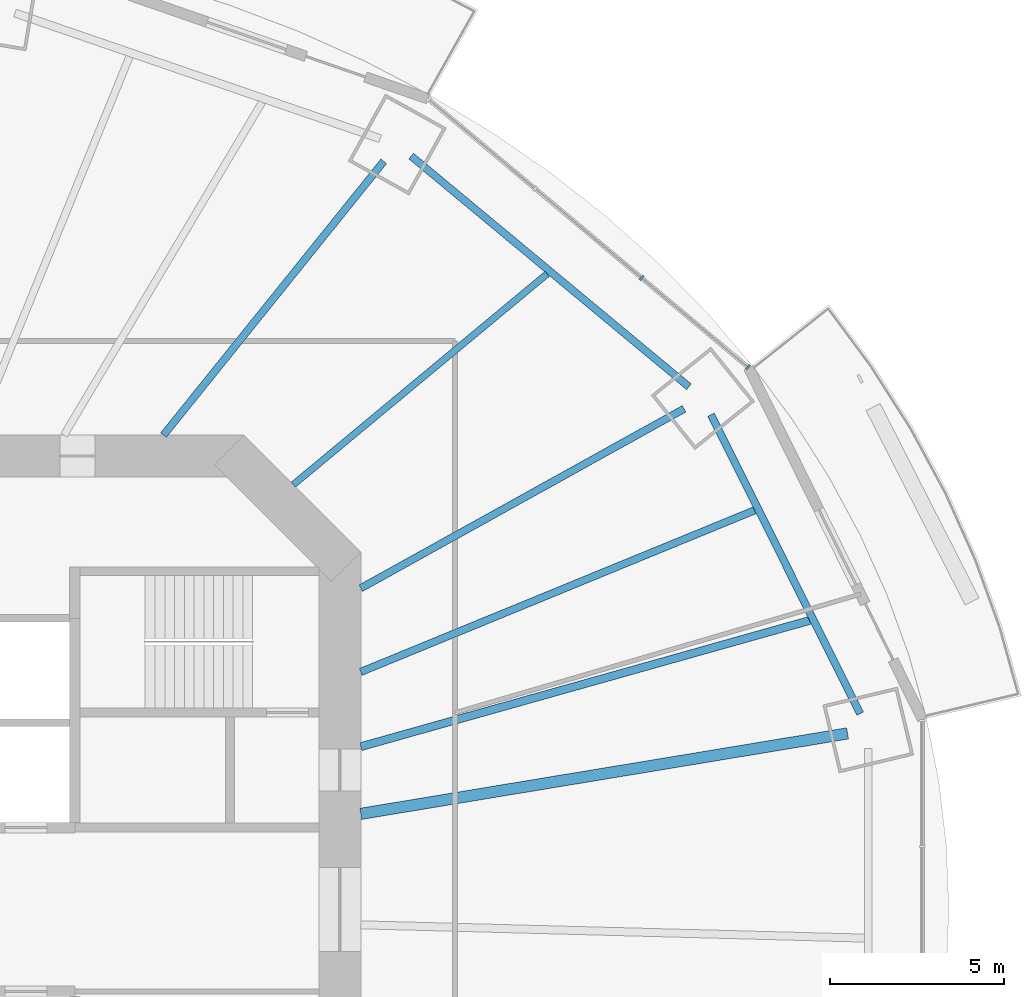
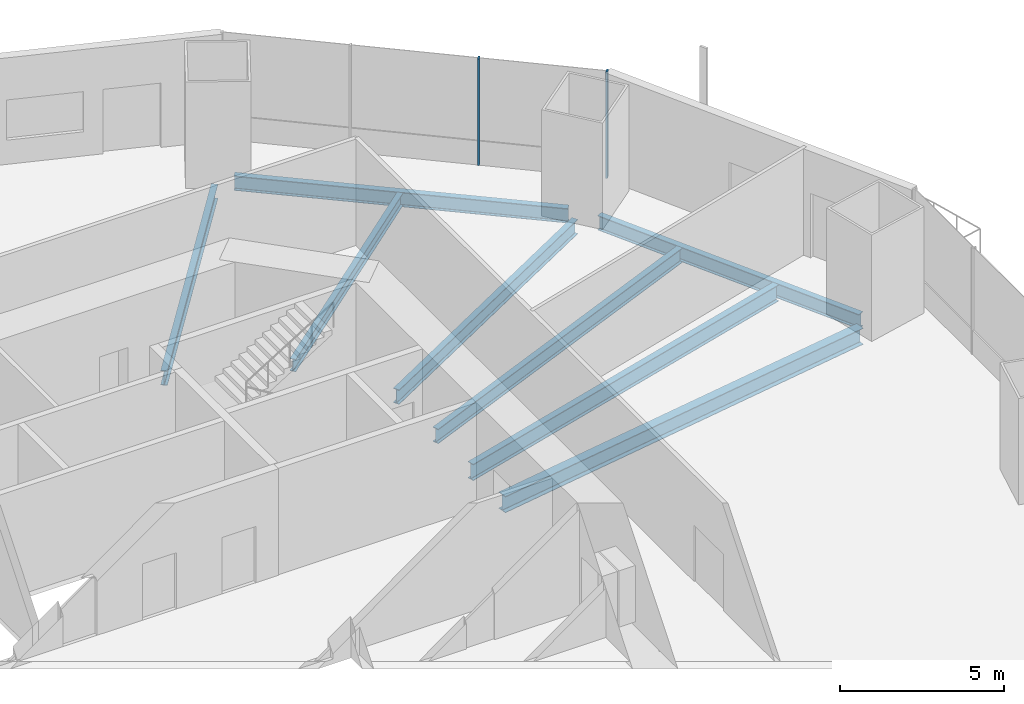
# One storey, part 8 of 20: 8 beams, 2 members, 1 element without a shape of its own.
"""IFC4 building model written with IfcOpenShell, lengths in metres."""

from ifc_helpers import new_model, si_unit, direction, frame, origin, origin_2d, place, context, subcontext, project, spatial, rectangle, i_section, extrude, material, material_profile, profile_set, type_object, element, aggregate, save


model = new_model("IFC4")

# Units and contexts
model_context = context("Model", 3, precision=1e-05, world=origin(), true_north=direction((0.0, 1.0)))
body_context = subcontext(model_context, "Body", "Model", "MODEL_VIEW")
ifc_project = project(units=[si_unit("LENGTHUNIT", "METRE"), si_unit("AREAUNIT", "SQUARE_METRE"), si_unit("VOLUMEUNIT", "CUBIC_METRE"), si_unit("PLANEANGLEUNIT", "RADIAN"), si_unit("MASSUNIT", "GRAM", prefix="KILO")], contexts=[model_context])

# Site, building, storey
site_placement = place(None, origin())
site = spatial("IfcSite", under=ifc_project, at=site_placement, CompositionType="ELEMENT")
building_placement = place(site_placement, origin())
building = spatial("IfcBuilding", under=site, at=building_placement, Name="Marenthal Gate Tower", CompositionType="ELEMENT")
storey_placement = place(building_placement, frame((0.0, 0.0, 136.75)))
storey = spatial("IfcBuildingStorey", under=building, at=storey_placement, Name="L29", CompositionType="ELEMENT", Elevation=136.75)

# Curtain wall, members
ifc_material_1 = material(Name="Aluminium and glass", Category="aluminium")
curtain_wall_type = type_object("IfcCurtainWallType", Name="Curtain wall typical low", PredefinedType="NOTDEFINED", material=ifc_material_1)
curtain_wall_placement = place(storey_placement, origin())
curtain_wall = element("IfcCurtainWall", 1, at=curtain_wall_placement, inside=storey, type_object=curtain_wall_type, Name="Curtain wall L29 bay 2", PredefinedType="NOTDEFINED")
ifc_material_2 = material(Name="Aluminium", Category="aluminium")
ifc_material_profile_1 = material_profile(ifc_material_2, rectangle(XDim=0.159912109375, YDim=0.06005859375, at=origin_2d()), Name="60x160 aluminium mullion")
ifc_profile_set_1 = profile_set([ifc_material_profile_1], Name="Aluminium")
member_type = type_object("IfcMemberType", Name="Mullion 60x160 typical low", PredefinedType="MULLION", material=ifc_profile_set_1)
member_1_placement = place(storey_placement, frame((27.699951171875, 15.55126953125, 0.0), z_axis=(0.0, 0.0, 1.0), x_axis=(-0.642510826857, -0.766276606305, 0.0)))
member_1 = element("IfcMember", 2, at=member_1_placement, type_object=member_type, Name="Mullion L29 bay 2.1", PredefinedType="MULLION", context=body_context, shape_type="SweptSolid", body=[
    extrude(rectangle(XDim=0.159912109375, YDim=0.06005859375, at=origin_2d()), origin(), (0.0, 0.0, 1.0), 3.969970703125),
])
member_2_placement = place(storey_placement, frame((24.64892578125, 18.109619140625, 0.0), z_axis=(0.0, 0.0, 1.0), x_axis=(-0.642510826857, -0.766276606305, 0.0)))
member_2 = element("IfcMember", 3, at=member_2_placement, type_object=member_type, Name="Mullion L29 bay 2.2", PredefinedType="MULLION", context=body_context, shape_type="SweptSolid", body=[
    extrude(rectangle(XDim=0.159912109375, YDim=0.06005859375, at=origin_2d()), origin(), (0.0, 0.0, 1.0), 3.969970703125),
])
aggregate(curtain_wall, [member_1, member_2])

# Beams
ifc_material_3 = material(Name="Steel S355", Category="steel")
ifc_material_profile_2 = material_profile(ifc_material_3, i_section(OverallWidth=0.193115234375, OverallDepth=0.467041015625, WebThickness=0.011474609375, FlangeThickness=0.01904296875, FilletRadius=0.010009765625, at=origin_2d()), Name="W460X97")
ifc_profile_set_2 = profile_set([ifc_material_profile_2], Name="Steel S355")
beam_type_1 = type_object("IfcBeamType", Name="W460X97 beam", PredefinedType="BEAM", material=ifc_profile_set_2)
beam_1_placement = place(storey_placement, frame((21.944580078125, 18.22412109375, -0.41357421875), z_axis=(-0.769313903272, -0.638870971506, 0.0), x_axis=(0.638870971506, -0.769313903272, 0.0)))
element("IfcBeam", 4, at=beam_1_placement, inside=storey, type_object=beam_type_1, Name="BM-L29-19", PredefinedType="BEAM", context=body_context, shape_type="SweptSolid", body=[
    extrude(i_section(OverallWidth=0.193115234375, OverallDepth=0.467041015625, WebThickness=0.011474609375, FlangeThickness=0.01904296875, FilletRadius=0.010009765625, at=origin_2d()), origin(), (0.0, 0.0, 1.0), 9.459228515625),
])
ifc_material_4 = material(Name="Steel S355", Category="steel")
ifc_material_profile_3 = material_profile(ifc_material_4, i_section(OverallWidth=0.2119140625, OverallDepth=0.5439453125, WebThickness=0.01318359375, FlangeThickness=0.021240234375, FilletRadius=0.0126953125, at=origin_2d()), Name="W530X123")
ifc_profile_set_3 = profile_set([ifc_material_profile_3], Name="Steel S355")
beam_type_2 = type_object("IfcBeamType", Name="W530X123 beam", PredefinedType="BEAM", material=ifc_profile_set_3)
beam_2_placement = place(storey_placement, frame((25.8701171875, 14.355224609375, -0.451904296875), z_axis=(-0.874396146379, -0.485212715412, 0.0), x_axis=(0.485212715412, -0.874396146379, 0.0)))
element("IfcBeam", 5, at=beam_2_placement, inside=storey, type_object=beam_type_2, Name="BM-L29-02", PredefinedType="BEAM", context=body_context, shape_type="SweptSolid", body=[
    extrude(i_section(OverallWidth=0.2119140625, OverallDepth=0.5439453125, WebThickness=0.01318359375, FlangeThickness=0.021240234375, FilletRadius=0.0126953125, at=origin_2d()), origin(), (0.0, 0.0, 1.0), 10.6015625),
])
beam_3_placement = place(storey_placement, frame((17.259521484375, 21.45166015625, -0.451904296875), z_axis=(-0.6268641657, -0.77912856305, 0.0), x_axis=(0.77912856305, -0.6268641657, 0.0)))
element("IfcBeam", 6, at=beam_3_placement, inside=storey, type_object=beam_type_2, Name="BM-L29-03", PredefinedType="BEAM", context=body_context, shape_type="SweptSolid", body=[
    extrude(i_section(OverallWidth=0.2119140625, OverallDepth=0.5439453125, WebThickness=0.01318359375, FlangeThickness=0.021240234375, FilletRadius=0.0126953125, at=origin_2d()), origin(), (0.0, 0.0, 1.0), 10.077392578125),
])
beam_4_placement = place(storey_placement, frame((27.8916015625, 11.444580078125, -0.451904296875), z_axis=(-0.925143041133, -0.379618694803, 0.0), x_axis=(0.379618694803, -0.925143041133, 0.0)))
element("IfcBeam", 7, at=beam_4_placement, inside=storey, type_object=beam_type_2, Name="BM-L29-18", PredefinedType="BEAM", context=body_context, shape_type="SweptSolid", body=[
    extrude(i_section(OverallWidth=0.2119140625, OverallDepth=0.5439453125, WebThickness=0.01318359375, FlangeThickness=0.021240234375, FilletRadius=0.0126953125, at=origin_2d()), origin(), (0.0, 0.0, 1.0), 12.205078125),
])
beam_5_placement = place(storey_placement, frame((30.916748046875, 5.616943359375, -0.451904296875), z_axis=(-0.446356728124, 0.89485511188, 0.0), x_axis=(-0.89485511188, -0.446356728124, 0.0)))
element("IfcBeam", 8, at=beam_5_placement, inside=storey, type_object=beam_type_2, Name="BM-L29-41", PredefinedType="BEAM", context=body_context, shape_type="SweptSolid", body=[
    extrude(i_section(OverallWidth=0.2119140625, OverallDepth=0.5439453125, WebThickness=0.01318359375, FlangeThickness=0.021240234375, FilletRadius=0.0126953125, at=origin_2d()), origin(), (0.0, 0.0, 1.0), 9.57568359375),
])
beam_6_placement = place(storey_placement, frame((26.0087890625, 14.98681640625, -0.451904296875), z_axis=(-0.769308410826, 0.638877585326, 0.0), x_axis=(-0.638877585326, -0.769308410826, 0.0)))
element("IfcBeam", 9, at=beam_6_placement, inside=storey, type_object=beam_type_2, Name="BM-L29-42", PredefinedType="BEAM", context=body_context, shape_type="SweptSolid", body=[
    extrude(i_section(OverallWidth=0.2119140625, OverallDepth=0.5439453125, WebThickness=0.01318359375, FlangeThickness=0.021240234375, FilletRadius=0.0126953125, at=origin_2d()), origin(), (0.0, 0.0, 1.0), 10.35302734375),
])
ifc_material_5 = material(Name="Steel S355", Category="steel")
ifc_material_profile_4 = material_profile(ifc_material_5, i_section(OverallWidth=0.22900390625, OverallDepth=0.612060546875, WebThickness=0.011962890625, FlangeThickness=0.01953125, FilletRadius=0.0126953125, at=origin_2d()), Name="W610X125")
ifc_profile_set_4 = profile_set([ifc_material_profile_4], Name="Steel S355")
beam_type_3 = type_object("IfcBeamType", Name="W610X125 beam", PredefinedType="BEAM", material=ifc_profile_set_4)
beam_7_placement = place(storey_placement, frame((29.466796875, 8.2861328125, -0.486083984375), z_axis=(-0.962662543646, -0.270704316664, 0.0), x_axis=(0.270704316664, -0.962662543646, 0.0)))
element("IfcBeam", 10, at=beam_7_placement, inside=storey, type_object=beam_type_3, Name="BM-L29-17", PredefinedType="BEAM", context=body_context, shape_type="SweptSolid", body=[
    extrude(i_section(OverallWidth=0.22900390625, OverallDepth=0.612060546875, WebThickness=0.011962890625, FlangeThickness=0.01953125, FilletRadius=0.0126953125, at=origin_2d()), origin(), (0.0, 0.0, 1.0), 13.36572265625),
])
ifc_material_6 = material(Name="Steel S355", Category="steel")
ifc_material_profile_5 = material_profile(ifc_material_6, i_section(OverallWidth=0.324951171875, OverallDepth=0.612060546875, WebThickness=0.0126953125, FlangeThickness=0.01904296875, FilletRadius=0.0126953125, at=origin_2d()), Name="W610X155")
ifc_profile_set_5 = profile_set([ifc_material_profile_5], Name="Steel S355")
beam_type_4 = type_object("IfcBeamType", Name="W610X155 beam", PredefinedType="BEAM", material=ifc_profile_set_5)
beam_8_placement = place(storey_placement, frame((30.556884765625, 5.047607421875, -0.486083984375), z_axis=(-0.986630319442, -0.162974270234, 0.0), x_axis=(0.162974270234, -0.986630319442, 0.0)))
element("IfcBeam", 11, at=beam_8_placement, inside=storey, type_object=beam_type_4, Name="BM-L29-01", PredefinedType="BEAM", context=body_context, shape_type="SweptSolid", body=[
    extrude(i_section(OverallWidth=0.324951171875, OverallDepth=0.612060546875, WebThickness=0.0126953125, FlangeThickness=0.01904296875, FilletRadius=0.0126953125, at=origin_2d()), origin(), (0.0, 0.0, 1.0), 14.14599609375),
])

save(model, "model.ifc")
